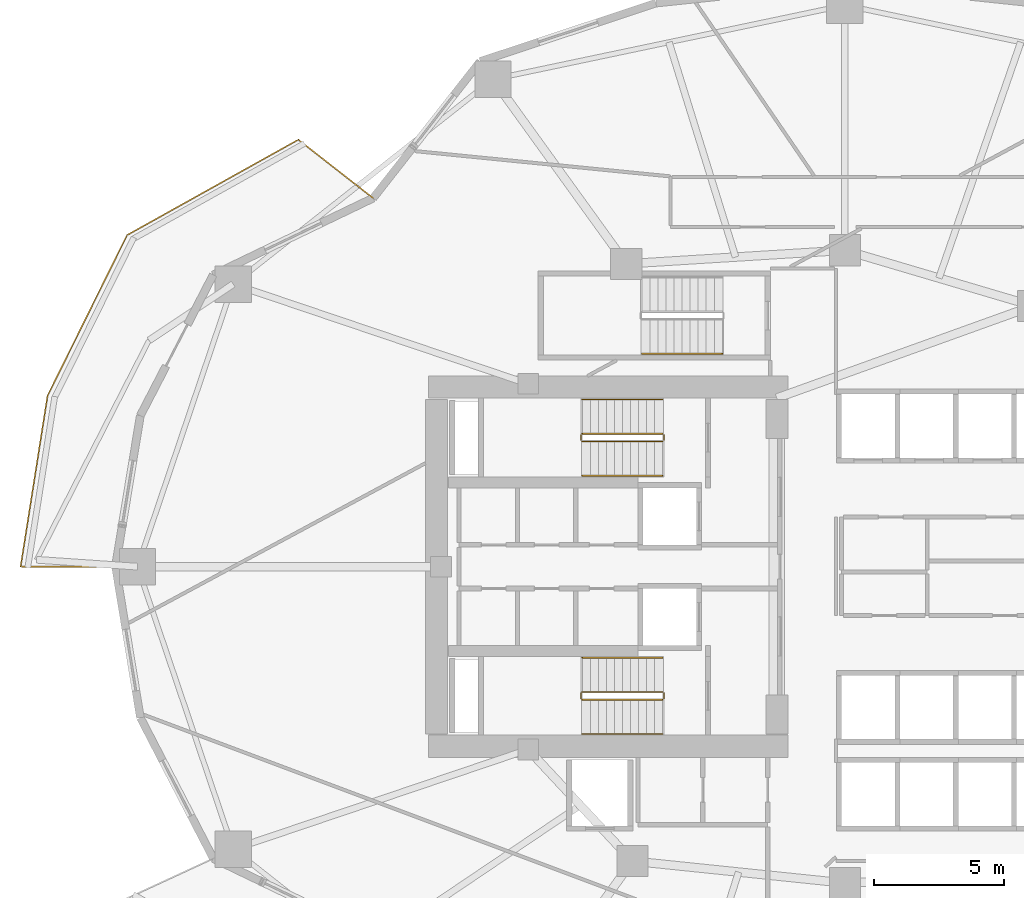
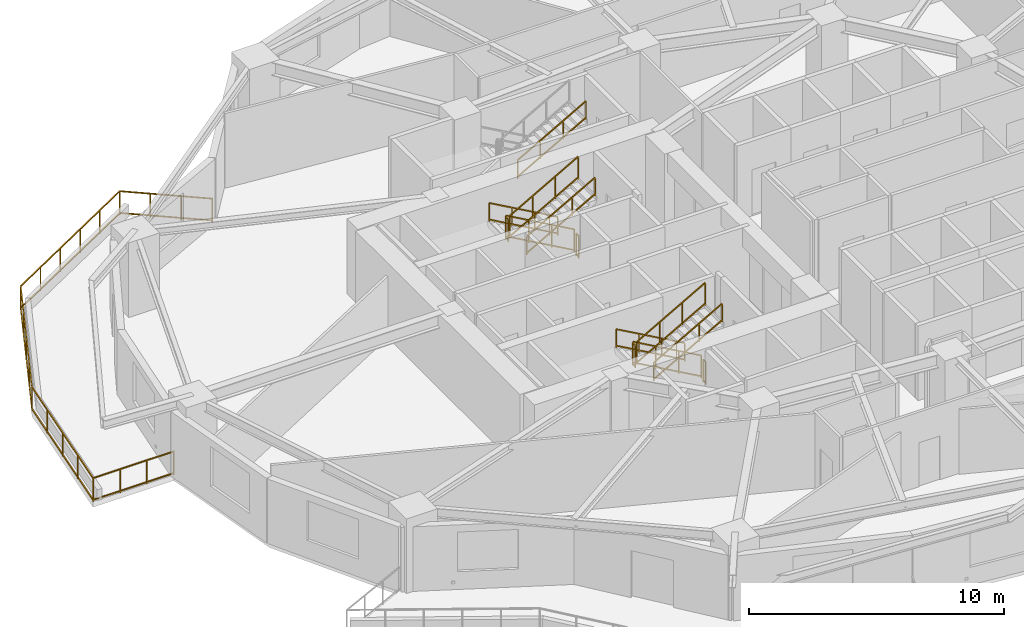
# One storey, part 13 of 16: 14 railings.
"""IFC4 building model written with IfcOpenShell, lengths in metres."""

from ifc_helpers import new_model, si_unit, direction, frame, origin, origin_2d, place, context, subcontext, project, spatial, rectangle, extrude, material, type_object, element, save


model = new_model("IFC4")

# Units and contexts
model_context = context("Model", 3, precision=1e-05, world=origin(), true_north=direction((0.0, 1.0)))
body_context = subcontext(model_context, "Body", "Model", "MODEL_VIEW")
ifc_project = project(units=[si_unit("LENGTHUNIT", "METRE"), si_unit("AREAUNIT", "SQUARE_METRE"), si_unit("VOLUMEUNIT", "CUBIC_METRE"), si_unit("PLANEANGLEUNIT", "RADIAN"), si_unit("MASSUNIT", "GRAM", prefix="KILO")], contexts=[model_context])

# Site, building, storey
site_placement = place(None, origin())
site = spatial("IfcSite", under=ifc_project, at=site_placement, CompositionType="ELEMENT")
building_placement = place(site_placement, origin())
building = spatial("IfcBuilding", under=site, at=building_placement, Name="Kolvaren Gate Tower and Convention Centre", CompositionType="ELEMENT")
storey_placement = place(building_placement, frame((0.0, 0.0, 34.199951171875)))
storey = spatial("IfcBuildingStorey", under=building, at=storey_placement, Name="L07", CompositionType="ELEMENT", Elevation=34.199951171875)

# Railings
ifc_material = material(Name="Brushed Stainless Steel Grade 316L", Category="steel")
railing_type_1 = type_object("IfcRailingType", Name="ARCH-RL-GUARD-1150", PredefinedType="GUARDRAIL", material=ifc_material)
railing_1_placement = place(storey_placement, frame((23.10009765625, 32.1298828125, 0.175048828125)))
element("IfcRailing", 1, at=railing_1_placement, inside=storey, type_object=railing_type_1, Name="L07 ST-T1 stair guard 1", PredefinedType="GUARDRAIL", context=body_context, shape_type="SweptSolid", body=[
    extrude(rectangle(XDim=0.048095703125, YDim=0.048095703125, at=origin_2d()), frame((0.0, 0.0, 1.076171875), z_axis=(-0.870830938388, 0.0, 0.491582624537), x_axis=(0.0, -1.0, 0.0)), (0.0, 0.0, 1.0), 3.559814453125),
    extrude(rectangle(XDim=0.048095703125, YDim=0.048095703125, at=origin_2d()), frame((0.0, 0.0, 0.083984375), z_axis=(-0.870830938388, 0.0, 0.491582624537), x_axis=(0.0, -1.0, 0.0)), (0.0, 0.0, 1.0), 3.559814453125),
    extrude(rectangle(XDim=0.0419921875, YDim=0.0419921875, at=origin_2d()), origin(), (0.0, 0.0, 1.0), 1.050048828125),
    extrude(rectangle(XDim=0.0419921875, YDim=0.0419921875, at=origin_2d()), frame((-3.10009765625, 0.0, 1.75)), (0.0, 0.0, 1.0), 1.050048828125),
    extrude(rectangle(XDim=0.0419921875, YDim=0.0419921875, at=origin_2d()), frame((-1.033447265625, 0.0, 0.583251953125)), (0.0, 0.0, 1.0), 1.050048828125),
    extrude(rectangle(XDim=0.0419921875, YDim=0.0419921875, at=origin_2d()), frame((-2.066650390625, 0.0, 1.166748046875)), (0.0, 0.0, 1.0), 1.050048828125),
])
railing_2_placement = place(storey_placement, frame((19.949951171875, 32.080078125, 1.925048828125)))
element("IfcRailing", 2, at=railing_2_placement, inside=storey, type_object=railing_type_1, Name="L07 ST-T1 stair guard 2", PredefinedType="GUARDRAIL", context=body_context, shape_type="SweptSolid", body=[
    extrude(rectangle(XDim=0.048095703125, YDim=0.048095703125, at=origin_2d()), frame((0.0, 0.0, 1.076171875), z_axis=(0.0, -1.0, 0.0), x_axis=(1.0, 0.0, 0.0)), (0.0, 0.0, 1.0), 0.2001953125),
    extrude(rectangle(XDim=0.048095703125, YDim=0.048095703125, at=origin_2d()), frame((0.0, 0.0, 0.083984375), z_axis=(0.0, -1.0, 0.0), x_axis=(1.0, 0.0, 0.0)), (0.0, 0.0, 1.0), 0.2001953125),
    extrude(rectangle(XDim=0.0419921875, YDim=0.0419921875, at=origin_2d()), origin(), (0.0, 0.0, 1.0), 1.050048828125),
    extrude(rectangle(XDim=0.0419921875, YDim=0.0419921875, at=origin_2d()), frame((0.0, -0.2001953125, 0.0)), (0.0, 0.0, 1.0), 1.050048828125),
])
railing_3_placement = place(storey_placement, frame((20.0, 31.830078125, 2.10009765625)))
element("IfcRailing", 3, at=railing_3_placement, inside=storey, type_object=railing_type_1, Name="L07 ST-T1 stair guard 3", PredefinedType="GUARDRAIL", context=body_context, shape_type="SweptSolid", body=[
    extrude(rectangle(XDim=0.048095703125, YDim=0.048095703125, at=origin_2d()), frame((0.0, 0.0, 1.076171875), z_axis=(0.870830938388, 0.0, 0.491582624537), x_axis=(0.0, 1.0, 0.0)), (0.0, 0.0, 1.0), 3.559814453125),
    extrude(rectangle(XDim=0.048095703125, YDim=0.048095703125, at=origin_2d()), frame((0.0, 0.0, 0.083984375), z_axis=(0.870830938388, 0.0, 0.491582624537), x_axis=(0.0, 1.0, 0.0)), (0.0, 0.0, 1.0), 3.559814453125),
    extrude(rectangle(XDim=0.0419921875, YDim=0.0419921875, at=origin_2d()), origin(), (0.0, 0.0, 1.0), 1.050048828125),
    extrude(rectangle(XDim=0.0419921875, YDim=0.0419921875, at=origin_2d()), frame((3.10009765625, 0.0, 1.75)), (0.0, 0.0, 1.0), 1.050048828125),
    extrude(rectangle(XDim=0.0419921875, YDim=0.0419921875, at=origin_2d()), frame((1.033447265625, 0.0, 0.583251953125)), (0.0, 0.0, 1.0), 1.050048828125),
    extrude(rectangle(XDim=0.0419921875, YDim=0.0419921875, at=origin_2d()), frame((2.066650390625, 0.0, 1.166748046875)), (0.0, 0.0, 1.0), 1.050048828125),
])
railing_4_placement = place(storey_placement, frame((23.14990234375, 32.080078125, 0.0)))
element("IfcRailing", 4, at=railing_4_placement, inside=storey, type_object=railing_type_1, Name="L07 ST-T1 stair guard 4", PredefinedType="GUARDRAIL", context=body_context, shape_type="SweptSolid", body=[
    extrude(rectangle(XDim=0.048095703125, YDim=0.048095703125, at=origin_2d()), frame((0.0, 0.0, 1.076171875), z_axis=(0.0, -1.0, 0.0), x_axis=(1.0, 0.0, 0.0)), (0.0, 0.0, 1.0), 0.2001953125),
    extrude(rectangle(XDim=0.048095703125, YDim=0.048095703125, at=origin_2d()), frame((0.0, 0.0, 0.083984375), z_axis=(0.0, -1.0, 0.0), x_axis=(1.0, 0.0, 0.0)), (0.0, 0.0, 1.0), 0.2001953125),
    extrude(rectangle(XDim=0.0419921875, YDim=0.0419921875, at=origin_2d()), origin(), (0.0, 0.0, 1.0), 1.050048828125),
    extrude(rectangle(XDim=0.0419921875, YDim=0.0419921875, at=origin_2d()), frame((0.0, -0.2001953125, 0.0)), (0.0, 0.0, 1.0), 1.050048828125),
])
railing_5_placement = place(storey_placement, frame((23.10009765625, 22.169921875, 0.175048828125)))
element("IfcRailing", 5, at=railing_5_placement, inside=storey, type_object=railing_type_1, Name="L07 ST-T2 stair guard 1", PredefinedType="GUARDRAIL", context=body_context, shape_type="SweptSolid", body=[
    extrude(rectangle(XDim=0.048095703125, YDim=0.048095703125, at=origin_2d()), frame((0.0, 0.0, 1.076171875), z_axis=(-0.870830938388, 0.0, 0.491582624537), x_axis=(0.0, -1.0, 0.0)), (0.0, 0.0, 1.0), 3.559814453125),
    extrude(rectangle(XDim=0.048095703125, YDim=0.048095703125, at=origin_2d()), frame((0.0, 0.0, 0.083984375), z_axis=(-0.870830938388, 0.0, 0.491582624537), x_axis=(0.0, -1.0, 0.0)), (0.0, 0.0, 1.0), 3.559814453125),
    extrude(rectangle(XDim=0.0419921875, YDim=0.0419921875, at=origin_2d()), origin(), (0.0, 0.0, 1.0), 1.050048828125),
    extrude(rectangle(XDim=0.0419921875, YDim=0.0419921875, at=origin_2d()), frame((-3.10009765625, 0.0, 1.75)), (0.0, 0.0, 1.0), 1.050048828125),
    extrude(rectangle(XDim=0.0419921875, YDim=0.0419921875, at=origin_2d()), frame((-1.033447265625, 0.0, 0.583251953125)), (0.0, 0.0, 1.0), 1.050048828125),
    extrude(rectangle(XDim=0.0419921875, YDim=0.0419921875, at=origin_2d()), frame((-2.066650390625, 0.0, 1.166748046875)), (0.0, 0.0, 1.0), 1.050048828125),
])
railing_6_placement = place(storey_placement, frame((19.949951171875, 22.1201171875, 1.925048828125)))
element("IfcRailing", 6, at=railing_6_placement, inside=storey, type_object=railing_type_1, Name="L07 ST-T2 stair guard 2", PredefinedType="GUARDRAIL", context=body_context, shape_type="SweptSolid", body=[
    extrude(rectangle(XDim=0.048095703125, YDim=0.048095703125, at=origin_2d()), frame((0.0, 0.0, 1.076171875), z_axis=(0.0, -1.0, 0.0), x_axis=(1.0, 0.0, 0.0)), (0.0, 0.0, 1.0), 0.2001953125),
    extrude(rectangle(XDim=0.048095703125, YDim=0.048095703125, at=origin_2d()), frame((0.0, 0.0, 0.083984375), z_axis=(0.0, -1.0, 0.0), x_axis=(1.0, 0.0, 0.0)), (0.0, 0.0, 1.0), 0.2001953125),
    extrude(rectangle(XDim=0.0419921875, YDim=0.0419921875, at=origin_2d()), origin(), (0.0, 0.0, 1.0), 1.050048828125),
    extrude(rectangle(XDim=0.0419921875, YDim=0.0419921875, at=origin_2d()), frame((0.0, -0.2001953125, 0.0)), (0.0, 0.0, 1.0), 1.050048828125),
])
railing_7_placement = place(storey_placement, frame((20.0, 21.8701171875, 2.10009765625)))
element("IfcRailing", 7, at=railing_7_placement, inside=storey, type_object=railing_type_1, Name="L07 ST-T2 stair guard 3", PredefinedType="GUARDRAIL", context=body_context, shape_type="SweptSolid", body=[
    extrude(rectangle(XDim=0.048095703125, YDim=0.048095703125, at=origin_2d()), frame((0.0, 0.0, 1.076171875), z_axis=(0.870830938388, 0.0, 0.491582624537), x_axis=(0.0, 1.0, 0.0)), (0.0, 0.0, 1.0), 3.559814453125),
    extrude(rectangle(XDim=0.048095703125, YDim=0.048095703125, at=origin_2d()), frame((0.0, 0.0, 0.083984375), z_axis=(0.870830938388, 0.0, 0.491582624537), x_axis=(0.0, 1.0, 0.0)), (0.0, 0.0, 1.0), 3.559814453125),
    extrude(rectangle(XDim=0.0419921875, YDim=0.0419921875, at=origin_2d()), origin(), (0.0, 0.0, 1.0), 1.050048828125),
    extrude(rectangle(XDim=0.0419921875, YDim=0.0419921875, at=origin_2d()), frame((3.10009765625, 0.0, 1.75)), (0.0, 0.0, 1.0), 1.050048828125),
    extrude(rectangle(XDim=0.0419921875, YDim=0.0419921875, at=origin_2d()), frame((1.033447265625, 0.0, 0.583251953125)), (0.0, 0.0, 1.0), 1.050048828125),
    extrude(rectangle(XDim=0.0419921875, YDim=0.0419921875, at=origin_2d()), frame((2.066650390625, 0.0, 1.166748046875)), (0.0, 0.0, 1.0), 1.050048828125),
])
railing_8_placement = place(storey_placement, frame((23.14990234375, 22.1201171875, 0.0)))
element("IfcRailing", 8, at=railing_8_placement, inside=storey, type_object=railing_type_1, Name="L07 ST-T2 stair guard 4", PredefinedType="GUARDRAIL", context=body_context, shape_type="SweptSolid", body=[
    extrude(rectangle(XDim=0.048095703125, YDim=0.048095703125, at=origin_2d()), frame((0.0, 0.0, 1.076171875), z_axis=(0.0, -1.0, 0.0), x_axis=(1.0, 0.0, 0.0)), (0.0, 0.0, 1.0), 0.2001953125),
    extrude(rectangle(XDim=0.048095703125, YDim=0.048095703125, at=origin_2d()), frame((0.0, 0.0, 0.083984375), z_axis=(0.0, -1.0, 0.0), x_axis=(1.0, 0.0, 0.0)), (0.0, 0.0, 1.0), 0.2001953125),
    extrude(rectangle(XDim=0.0419921875, YDim=0.0419921875, at=origin_2d()), origin(), (0.0, 0.0, 1.0), 1.050048828125),
    extrude(rectangle(XDim=0.0419921875, YDim=0.0419921875, at=origin_2d()), frame((0.0, -0.2001953125, 0.0)), (0.0, 0.0, 1.0), 1.050048828125),
])
railing_9_placement = place(storey_placement, frame((11.934814453125, 41.212890625, 0.0)))
element("IfcRailing", 9, at=railing_9_placement, inside=storey, type_object=railing_type_1, Name="Tower L07 Terrace Perimeter Guardrail GR-2", PredefinedType="GUARDRAIL", context=body_context, shape_type="SweptSolid", body=[
    extrude(rectangle(XDim=0.048095703125, YDim=0.048095703125, at=origin_2d()), frame((-0.022216796875, 0.017333984375, 1.1259765625), z_axis=(-0.787988976981, 0.61568934712, 0.0), x_axis=(-0.61568934712, -0.787988976981, 0.0)), (0.0, 0.0, 1.0), 3.60400390625),
    extrude(rectangle(XDim=0.048095703125, YDim=0.048095703125, at=origin_2d()), frame((-0.022216796875, 0.017333984375, 0.083984375), z_axis=(-0.787988976981, 0.61568934712, 0.0), x_axis=(-0.61568934712, -0.787988976981, 0.0)), (0.0, 0.0, 1.0), 3.60400390625),
    extrude(rectangle(XDim=0.048095703125, YDim=0.048095703125, at=origin_2d()), frame((-2.908447265625, 2.23974609375, 1.1259765625), z_axis=(-0.873486390754, -0.486848564923, 0.0), x_axis=(0.486848564923, -0.873486390754, 0.0)), (0.0, 0.0, 1.0), 7.506103515625),
    extrude(rectangle(XDim=0.048095703125, YDim=0.048095703125, at=origin_2d()), frame((-2.908447265625, 2.23974609375, 0.083984375), z_axis=(-0.873486390754, -0.486848564923, 0.0), x_axis=(0.486848564923, -0.873486390754, 0.0)), (0.0, 0.0, 1.0), 7.506103515625),
    extrude(rectangle(XDim=0.048095703125, YDim=0.048095703125, at=origin_2d()), frame((-9.501953125, -1.453369140625, 1.1259765625), z_axis=(-0.443578479433, -0.8962355341, 0.0), x_axis=(0.8962355341, -0.443578479433, 0.0)), (0.0, 0.0, 1.0), 6.855224609375),
    extrude(rectangle(XDim=0.048095703125, YDim=0.048095703125, at=origin_2d()), frame((-9.501953125, -1.453369140625, 0.083984375), z_axis=(-0.443578479433, -0.8962355341, 0.0), x_axis=(0.8962355341, -0.443578479433, 0.0)), (0.0, 0.0, 1.0), 6.855224609375),
    extrude(rectangle(XDim=0.048095703125, YDim=0.048095703125, at=origin_2d()), frame((-12.5595703125, -7.64990234375, 1.1259765625), z_axis=(-0.155806612617, -0.987787578108, 0.0), x_axis=(0.987787578108, -0.155806612617, 0.0)), (0.0, 0.0, 1.0), 6.615966796875),
    extrude(rectangle(XDim=0.048095703125, YDim=0.048095703125, at=origin_2d()), frame((-12.5595703125, -7.64990234375, 0.083984375), z_axis=(-0.155806612617, -0.987787578108, 0.0), x_axis=(0.987787578108, -0.155806612617, 0.0)), (0.0, 0.0, 1.0), 6.615966796875),
    extrude(rectangle(XDim=0.048095703125, YDim=0.048095703125, at=origin_2d()), frame((-13.566650390625, -14.212890625, 1.1259765625), z_axis=(1.0, 0.0, 0.0), x_axis=(0.0, 1.0, 0.0)), (0.0, 0.0, 1.0), 3.603759765625),
    extrude(rectangle(XDim=0.048095703125, YDim=0.048095703125, at=origin_2d()), frame((-13.566650390625, -14.212890625, 0.083984375), z_axis=(1.0, 0.0, 0.0), x_axis=(0.0, 1.0, 0.0)), (0.0, 0.0, 1.0), 3.603759765625),
    extrude(rectangle(XDim=0.0419921875, YDim=0.0419921875, at=origin_2d()), origin(), (0.0, 0.0, 1.0), 1.14990234375),
    extrude(rectangle(XDim=0.0419921875, YDim=0.0419921875, at=origin_2d()), frame((-2.884033203125, 2.25341796875, 0.0)), (0.0, 0.0, 1.0), 1.14990234375),
    extrude(rectangle(XDim=0.0419921875, YDim=0.0419921875, at=origin_2d()), frame((-0.96142578125, 0.751220703125, 0.0)), (0.0, 0.0, 1.0), 1.099853515625),
    extrude(rectangle(XDim=0.0419921875, YDim=0.0419921875, at=origin_2d()), frame((-1.922607421875, 1.502197265625, 0.0)), (0.0, 0.0, 1.0), 1.099853515625),
    extrude(rectangle(XDim=0.0419921875, YDim=0.0419921875, at=origin_2d()), frame((-9.489501953125, -1.42822265625, 0.0)), (0.0, 0.0, 1.0), 1.14990234375),
    extrude(rectangle(XDim=0.0419921875, YDim=0.0419921875, at=origin_2d()), frame((-4.205078125, 1.51708984375, 0.0)), (0.0, 0.0, 1.0), 1.099853515625),
    extrude(rectangle(XDim=0.0419921875, YDim=0.0419921875, at=origin_2d()), frame((-5.526123046875, 0.78076171875, 0.0)), (0.0, 0.0, 1.0), 1.099853515625),
    extrude(rectangle(XDim=0.0419921875, YDim=0.0419921875, at=origin_2d()), frame((-6.847412109375, 0.04443359375, 0.0)), (0.0, 0.0, 1.0), 1.099853515625),
    extrude(rectangle(XDim=0.0419921875, YDim=0.0419921875, at=origin_2d()), frame((-8.16845703125, -0.69189453125, 0.0)), (0.0, 0.0, 1.0), 1.099853515625),
    extrude(rectangle(XDim=0.0419921875, YDim=0.0419921875, at=origin_2d()), frame((-12.55517578125, -7.622314453125, 0.0)), (0.0, 0.0, 1.0), 1.14990234375),
    extrude(rectangle(XDim=0.0419921875, YDim=0.0419921875, at=origin_2d()), frame((-10.255859375, -2.976806640625, 0.0)), (0.0, 0.0, 1.0), 1.099853515625),
    extrude(rectangle(XDim=0.0419921875, YDim=0.0419921875, at=origin_2d()), frame((-11.0224609375, -4.525390625, 0.0)), (0.0, 0.0, 1.0), 1.099853515625),
    extrude(rectangle(XDim=0.0419921875, YDim=0.0419921875, at=origin_2d()), frame((-11.788818359375, -6.07373046875, 0.0)), (0.0, 0.0, 1.0), 1.099853515625),
    extrude(rectangle(XDim=0.0419921875, YDim=0.0419921875, at=origin_2d()), frame((-13.5947265625, -14.212890625, 0.0)), (0.0, 0.0, 1.0), 1.14990234375),
    extrude(rectangle(XDim=0.0419921875, YDim=0.0419921875, at=origin_2d()), frame((-12.81494140625, -9.27001953125, 0.0)), (0.0, 0.0, 1.0), 1.099853515625),
    extrude(rectangle(XDim=0.0419921875, YDim=0.0419921875, at=origin_2d()), frame((-13.074951171875, -10.91748046875, 0.0)), (0.0, 0.0, 1.0), 1.099853515625),
    extrude(rectangle(XDim=0.0419921875, YDim=0.0419921875, at=origin_2d()), frame((-13.3349609375, -12.565185546875, 0.0)), (0.0, 0.0, 1.0), 1.099853515625),
    extrude(rectangle(XDim=0.0419921875, YDim=0.0419921875, at=origin_2d()), frame((-9.934814453125, -14.212890625, 0.0)), (0.0, 0.0, 1.0), 1.14990234375),
    extrude(rectangle(XDim=0.0419921875, YDim=0.0419921875, at=origin_2d()), frame((-12.374755859375, -14.212890625, 0.0)), (0.0, 0.0, 1.0), 1.099853515625),
    extrude(rectangle(XDim=0.0419921875, YDim=0.0419921875, at=origin_2d()), frame((-11.15478515625, -14.212890625, 0.0)), (0.0, 0.0, 1.0), 1.099853515625),
])
railing_type_2 = type_object("IfcRailingType", Name="ARCH-RL-HANDRAIL-920", PredefinedType="HANDRAIL", material=ifc_material)
railing_10_placement = place(storey_placement, frame((23.10009765625, 33.449951171875, 0.175048828125)))
element("IfcRailing", 10, at=railing_10_placement, inside=storey, type_object=railing_type_2, Name="L07 ST-T1 stair handrail 1", PredefinedType="HANDRAIL", context=body_context, shape_type="SweptSolid", body=[
    extrude(rectangle(XDim=0.048095703125, YDim=0.048095703125, at=origin_2d()), frame((0.0, 0.0, 0.8759765625), z_axis=(-0.870830938388, 0.0, 0.491582624537), x_axis=(0.0, -1.0, 0.0)), (0.0, 0.0, 1.0), 3.559814453125),
    extrude(rectangle(XDim=0.048095703125, YDim=0.048095703125, at=origin_2d()), frame((0.0, 0.0, 0.083984375), z_axis=(-0.870830938388, 0.0, 0.491582624537), x_axis=(0.0, -1.0, 0.0)), (0.0, 0.0, 1.0), 3.559814453125),
    extrude(rectangle(XDim=0.0419921875, YDim=0.0419921875, at=origin_2d()), origin(), (0.0, 0.0, 1.0), 0.849853515625),
    extrude(rectangle(XDim=0.0419921875, YDim=0.0419921875, at=origin_2d()), frame((-3.10009765625, 0.0, 1.75)), (0.0, 0.0, 1.0), 0.849853515625),
    extrude(rectangle(XDim=0.0419921875, YDim=0.0419921875, at=origin_2d()), frame((-1.033447265625, 0.0, 0.583251953125)), (0.0, 0.0, 1.0), 0.849853515625),
    extrude(rectangle(XDim=0.0419921875, YDim=0.0419921875, at=origin_2d()), frame((-2.066650390625, 0.0, 1.166748046875)), (0.0, 0.0, 1.0), 0.849853515625),
])
railing_11_placement = place(storey_placement, frame((20.0, 30.510009765625, 2.10009765625)))
element("IfcRailing", 11, at=railing_11_placement, inside=storey, type_object=railing_type_2, Name="L07 ST-T1 stair handrail 2", PredefinedType="HANDRAIL", context=body_context, shape_type="SweptSolid", body=[
    extrude(rectangle(XDim=0.048095703125, YDim=0.048095703125, at=origin_2d()), frame((0.0, 0.0, 0.8759765625), z_axis=(0.870830938388, 0.0, 0.491582624537), x_axis=(0.0, 1.0, 0.0)), (0.0, 0.0, 1.0), 3.559814453125),
    extrude(rectangle(XDim=0.048095703125, YDim=0.048095703125, at=origin_2d()), frame((0.0, 0.0, 0.083984375), z_axis=(0.870830938388, 0.0, 0.491582624537), x_axis=(0.0, 1.0, 0.0)), (0.0, 0.0, 1.0), 3.559814453125),
    extrude(rectangle(XDim=0.0419921875, YDim=0.0419921875, at=origin_2d()), origin(), (0.0, 0.0, 1.0), 0.849853515625),
    extrude(rectangle(XDim=0.0419921875, YDim=0.0419921875, at=origin_2d()), frame((3.10009765625, 0.0, 1.75)), (0.0, 0.0, 1.0), 0.849853515625),
    extrude(rectangle(XDim=0.0419921875, YDim=0.0419921875, at=origin_2d()), frame((1.033447265625, 0.0, 0.583251953125)), (0.0, 0.0, 1.0), 0.849853515625),
    extrude(rectangle(XDim=0.0419921875, YDim=0.0419921875, at=origin_2d()), frame((2.066650390625, 0.0, 1.166748046875)), (0.0, 0.0, 1.0), 0.849853515625),
])
railing_12_placement = place(storey_placement, frame((23.10009765625, 23.489990234375, 0.175048828125)))
element("IfcRailing", 12, at=railing_12_placement, inside=storey, type_object=railing_type_2, Name="L07 ST-T2 stair handrail 1", PredefinedType="HANDRAIL", context=body_context, shape_type="SweptSolid", body=[
    extrude(rectangle(XDim=0.048095703125, YDim=0.048095703125, at=origin_2d()), frame((0.0, 0.0, 0.8759765625), z_axis=(-0.870830938388, 0.0, 0.491582624537), x_axis=(0.0, -1.0, 0.0)), (0.0, 0.0, 1.0), 3.559814453125),
    extrude(rectangle(XDim=0.048095703125, YDim=0.048095703125, at=origin_2d()), frame((0.0, 0.0, 0.083984375), z_axis=(-0.870830938388, 0.0, 0.491582624537), x_axis=(0.0, -1.0, 0.0)), (0.0, 0.0, 1.0), 3.559814453125),
    extrude(rectangle(XDim=0.0419921875, YDim=0.0419921875, at=origin_2d()), origin(), (0.0, 0.0, 1.0), 0.849853515625),
    extrude(rectangle(XDim=0.0419921875, YDim=0.0419921875, at=origin_2d()), frame((-3.10009765625, 0.0, 1.75)), (0.0, 0.0, 1.0), 0.849853515625),
    extrude(rectangle(XDim=0.0419921875, YDim=0.0419921875, at=origin_2d()), frame((-1.033447265625, 0.0, 0.583251953125)), (0.0, 0.0, 1.0), 0.849853515625),
    extrude(rectangle(XDim=0.0419921875, YDim=0.0419921875, at=origin_2d()), frame((-2.066650390625, 0.0, 1.166748046875)), (0.0, 0.0, 1.0), 0.849853515625),
])
railing_13_placement = place(storey_placement, frame((20.0, 20.550048828125, 2.10009765625)))
element("IfcRailing", 13, at=railing_13_placement, inside=storey, type_object=railing_type_2, Name="L07 ST-T2 stair handrail 2", PredefinedType="HANDRAIL", context=body_context, shape_type="SweptSolid", body=[
    extrude(rectangle(XDim=0.048095703125, YDim=0.048095703125, at=origin_2d()), frame((0.0, 0.0, 0.8759765625), z_axis=(0.870830938388, 0.0, 0.491582624537), x_axis=(0.0, 1.0, 0.0)), (0.0, 0.0, 1.0), 3.559814453125),
    extrude(rectangle(XDim=0.048095703125, YDim=0.048095703125, at=origin_2d()), frame((0.0, 0.0, 0.083984375), z_axis=(0.870830938388, 0.0, 0.491582624537), x_axis=(0.0, 1.0, 0.0)), (0.0, 0.0, 1.0), 3.559814453125),
    extrude(rectangle(XDim=0.0419921875, YDim=0.0419921875, at=origin_2d()), origin(), (0.0, 0.0, 1.0), 0.849853515625),
    extrude(rectangle(XDim=0.0419921875, YDim=0.0419921875, at=origin_2d()), frame((3.10009765625, 0.0, 1.75)), (0.0, 0.0, 1.0), 0.849853515625),
    extrude(rectangle(XDim=0.0419921875, YDim=0.0419921875, at=origin_2d()), frame((1.033447265625, 0.0, 0.583251953125)), (0.0, 0.0, 1.0), 0.849853515625),
    extrude(rectangle(XDim=0.0419921875, YDim=0.0419921875, at=origin_2d()), frame((2.066650390625, 0.0, 1.166748046875)), (0.0, 0.0, 1.0), 0.849853515625),
])
railing_14_placement = place(storey_placement, frame((22.300048828125, 35.2099609375, 2.10009765625)))
element("IfcRailing", 14, at=railing_14_placement, inside=storey, type_object=railing_type_2, Name="L07 ST-T3 stair handrail 2", PredefinedType="HANDRAIL", context=body_context, shape_type="SweptSolid", body=[
    extrude(rectangle(XDim=0.048095703125, YDim=0.048095703125, at=origin_2d()), frame((0.0, 0.0, 0.8759765625), z_axis=(0.870814364268, 0.0, 0.491611984175), x_axis=(0.0, 1.0, 0.0)), (0.0, 0.0, 1.0), 3.559814453125),
    extrude(rectangle(XDim=0.048095703125, YDim=0.048095703125, at=origin_2d()), frame((0.0, 0.0, 0.083984375), z_axis=(0.870814364268, 0.0, 0.491611984175), x_axis=(0.0, 1.0, 0.0)), (0.0, 0.0, 1.0), 3.559814453125),
    extrude(rectangle(XDim=0.0419921875, YDim=0.0419921875, at=origin_2d()), origin(), (0.0, 0.0, 1.0), 0.849853515625),
    extrude(rectangle(XDim=0.0419921875, YDim=0.0419921875, at=origin_2d()), frame((3.099853515625, 0.0, 1.75)), (0.0, 0.0, 1.0), 0.849853515625),
    extrude(rectangle(XDim=0.0419921875, YDim=0.0419921875, at=origin_2d()), frame((1.033203125, 0.0, 0.583251953125)), (0.0, 0.0, 1.0), 0.849853515625),
    extrude(rectangle(XDim=0.0419921875, YDim=0.0419921875, at=origin_2d()), frame((2.066650390625, 0.0, 1.166748046875)), (0.0, 0.0, 1.0), 0.849853515625),
])

save(model, "model.ifc")
